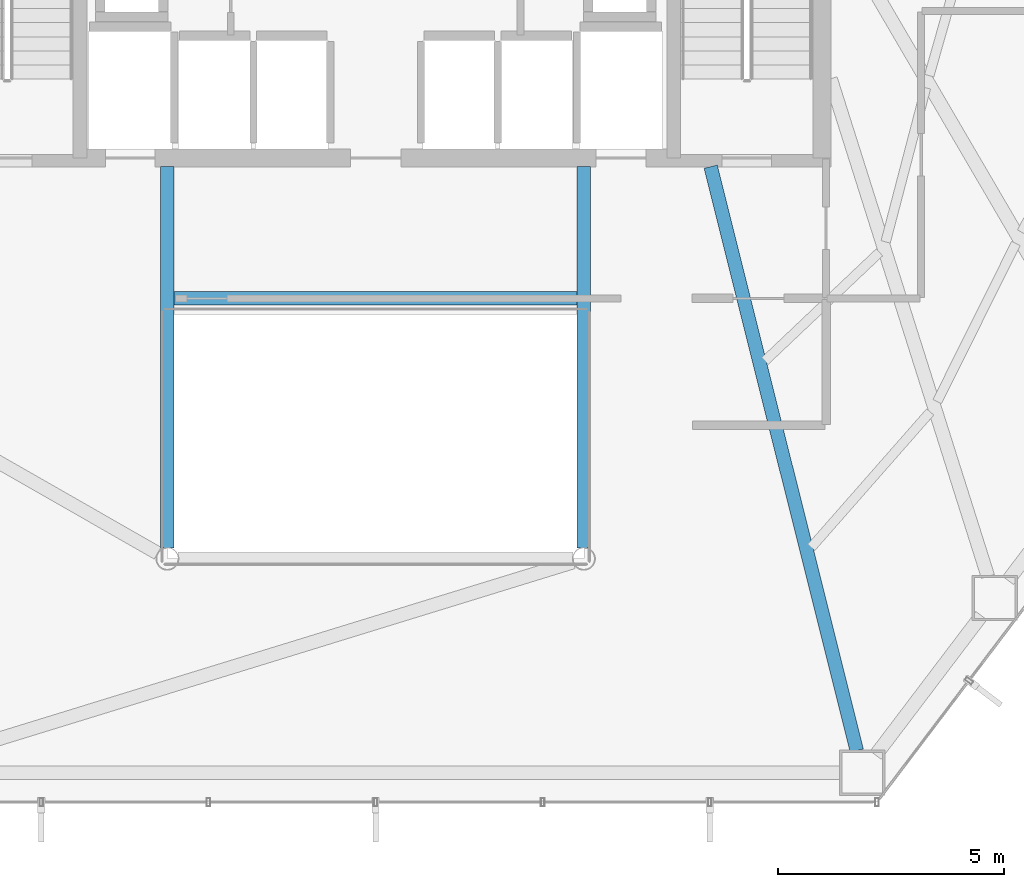
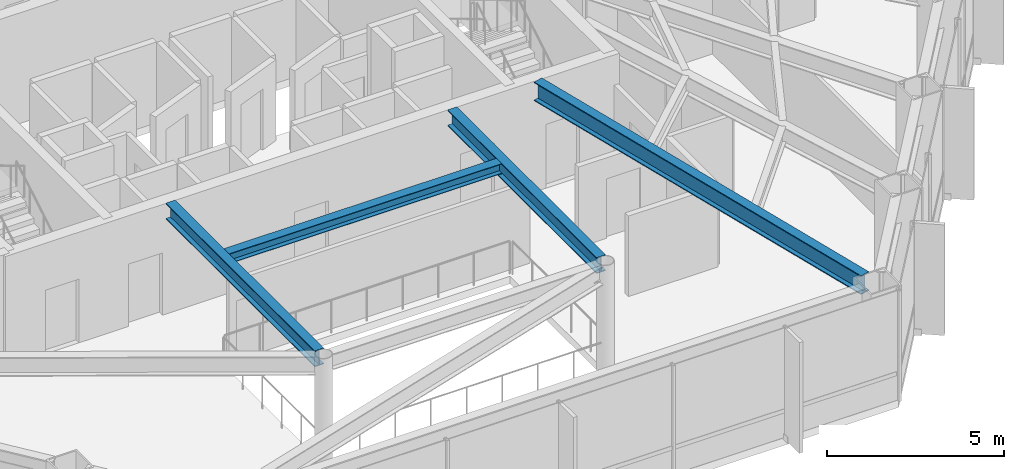
# One storey, part 9 of 25: 4 beams.
"""IFC4 building model written with IfcOpenShell, lengths in metres."""

import ifcopenshell
import ifcopenshell.guid

model = None  # the IFC model being written
_history = None  # IfcOwnerHistory: only IFC2X3 demands one
_inside = {}  # id of a spatial element -> (the spatial element, [elements in it])
_under = {}  # id of a project, library or spatial element -> (it, [spatial elements below it])
_declared = {}  # id of a project -> (the project, [libraries it declares])
_typed = {}  # id of a type object -> (the type object, [elements of that type])
_made_of = {}  # id of a material, layer set ... -> (it, [elements and type objects made of it])


def new_model(schema):
    """Start an empty IFC model of exactly this schema.

    Asked for "IFC4X3", IfcOpenShell would pick the latest addendum, in which some entities
    have other attributes; the version numbers below select the first issue.
    IFC2X3 requires an IfcOwnerHistory on every rooted entity: one is made here for all.
    """
    global model, _history
    if schema == "IFC4X3":
        model = ifcopenshell.file(schema_version=(4, 3, 0, 0))
    else:
        model = ifcopenshell.file(schema=schema)
    _inside.clear()
    _under.clear()
    _declared.clear()
    _typed.clear()
    _made_of.clear()
    _history = None
    if model.schema == "IFC2X3":
        org = make("IfcOrganization", Name="unknown")
        user = make(
            "IfcPersonAndOrganization",
            ThePerson=make("IfcPerson", FamilyName="unknown"),
            TheOrganization=org,
        )
        app = make(
            "IfcApplication",
            ApplicationDeveloper=org,
            Version="unknown",
            ApplicationFullName="unknown",
            ApplicationIdentifier="unknown",
        )
        _history = make(
            "IfcOwnerHistory",
            OwningUser=user,
            OwningApplication=app,
            ChangeAction="ADDED",
            CreationDate=0,
        )
    return model


def make(cls, **values):
    """One entity of the class cls with the attributes given. An attribute that is None is left unset."""
    return model.create_entity(
        cls, **{name: value for name, value in values.items() if value is not None}
    )


def rooted(cls, **values):
    """An entity with a GlobalId (a new one), such as an element, a storey or a relation."""
    return make(cls, GlobalId=ifcopenshell.guid.new(), OwnerHistory=_history, **values)


def si_unit(unit_type, name, prefix=None):
    """IfcSIUnit, for example si_unit("LENGTHUNIT", "METRE", prefix="MILLI")."""
    return make("IfcSIUnit", UnitType=unit_type, Prefix=prefix, Name=name)


def assignment(units):
    """IfcUnitAssignment: the units of a project."""
    return None if units is None else make("IfcUnitAssignment", Units=units)


def point(xyz):
    """IfcCartesianPoint."""
    return None if xyz is None else make("IfcCartesianPoint", Coordinates=xyz)


def direction(xyz):
    """IfcDirection."""
    return None if xyz is None else make("IfcDirection", DirectionRatios=xyz)


def frame(location, z_axis=None, x_axis=None):
    """IfcAxis2Placement3D, a coordinate frame: its origin and axes. An axis left out is left unset."""
    return make(
        "IfcAxis2Placement3D",
        Location=point(location),
        Axis=direction(z_axis),
        RefDirection=direction(x_axis),
    )


def frame_2d(location, x_axis=None):
    """IfcAxis2Placement2D, a coordinate frame in the plane: its origin and x axis."""
    return make(
        "IfcAxis2Placement2D", Location=point(location), RefDirection=direction(x_axis)
    )


def origin():
    """The frame at (0, 0, 0) with its axes left unset."""
    return frame((0.0, 0.0, 0.0))


def origin_2d():
    """The frame at (0, 0) in the plane with its x axis left unset."""
    return frame_2d((0.0, 0.0))


def place(relative_to, where):
    """IfcLocalPlacement: puts the frame where relative to a parent placement (None: the world)."""
    return make(
        "IfcLocalPlacement", PlacementRelTo=relative_to, RelativePlacement=where
    )


def context(
    kind, dimensions, precision=None, world=None, true_north=None, identifier=None
):
    """IfcGeometricRepresentationContext, for example the 3D "Model" context."""
    return make(
        "IfcGeometricRepresentationContext",
        ContextIdentifier=identifier,
        ContextType=kind,
        CoordinateSpaceDimension=dimensions,
        Precision=precision,
        WorldCoordinateSystem=world,
        TrueNorth=true_north,
    )


def subcontext(parent, identifier, kind, view, scale=None):
    """IfcGeometricRepresentationSubContext, for example "Body" below "Model"."""
    return make(
        "IfcGeometricRepresentationSubContext",
        ContextIdentifier=identifier,
        ContextType=kind,
        ParentContext=parent,
        TargetScale=scale,
        TargetView=view,
    )


def project(units=None, contexts=None):
    """IfcProject with its units and contexts."""
    return rooted(
        "IfcProject",
        Name="project",
        RepresentationContexts=contexts,
        UnitsInContext=assignment(units),
    )


def spatial(cls, under=None, at=None, **own):
    """A site, building, storey or space (cls), placed at a placement, below another one or the project."""
    s = rooted(cls, ObjectPlacement=at, **own)
    if under is not None:
        _under.setdefault(under.id(), (under, []))[1].append(s)
    return s


def profile(cls, at=None, kind="AREA", **sizes):
    """A parametric profile (cls). Its sizes go by their IFC names, for example OverallWidth=200.0."""
    return make(cls, ProfileType=kind, Position=at, **sizes)


def i_section(**sizes):
    """IfcIShapeProfileDef."""
    return profile("IfcIShapeProfileDef", **sizes)


def extrude(swept, where, along, depth):
    """IfcExtrudedAreaSolid: the profile swept, set in the frame where, extruded along a direction by depth."""
    return make(
        "IfcExtrudedAreaSolid",
        SweptArea=swept,
        Position=where,
        ExtrudedDirection=direction(along),
        Depth=depth,
    )


def shape(context_of_items, identifier, shape_type, items):
    """IfcShapeRepresentation: the items that make up one representation, for example the "Body"."""
    return make(
        "IfcShapeRepresentation",
        ContextOfItems=context_of_items,
        RepresentationIdentifier=identifier,
        RepresentationType=shape_type,
        Items=items,
    )


def material(Name=None, Category=None):
    """IfcMaterial."""
    return make("IfcMaterial", Name=Name, Category=Category)


def material_profile(
    of_material, cross_section, Name=None, Category=None, Priority=None
):
    """IfcMaterialProfile: a cross section and its material."""
    return make(
        "IfcMaterialProfile",
        Name=Name,
        Material=of_material,
        Profile=cross_section,
        Priority=Priority,
        Category=Category,
    )


def profile_set(profiles, Name=None, composite=None):
    """IfcMaterialProfileSet."""
    return make(
        "IfcMaterialProfileSet",
        Name=Name,
        MaterialProfiles=profiles,
        CompositeProfile=composite,
    )


def made_of(thing, what):
    """Note that an element or type object is made of a material, layer set ...; save() writes the relation."""
    if what is not None:
        _made_of.setdefault(what.id(), (what, []))[1].append(thing)
    return thing


def type_object(cls, material=None, **own):
    """A type object (cls), such as IfcWallType, which elements share."""
    return made_of(rooted(cls, **own), material)


def element(
    cls,
    number,
    at=None,
    inside=None,
    cuts=None,
    type_object=None,
    material=None,
    context=None,
    identifier="Body",
    shape_type=None,
    held_by="IfcProductDefinitionShape",
    body=None,
    shapes=None,
    **own,
):
    """One element of the class cls, such as IfcWall. Its Tag is "e" and its number.

    at: its placement. inside: the storey or other place that contains it. cuts: it is an
    opening in that element (IfcRelVoidsElement). A single representation is given by context,
    identifier, shape_type and body (its items); several are given by shapes. held_by: the class
    of the entity that holds the representations. save() writes the other relations.
    """
    e = rooted(cls, Tag="e%d" % number, ObjectPlacement=at, **own)
    if body is not None:
        shapes = [shape(context, identifier, shape_type, body)]
    if shapes is not None:
        e.Representation = make(held_by, Representations=shapes)
    if inside is not None:
        _inside.setdefault(inside.id(), (inside, []))[1].append(e)
    if cuts is not None:
        rooted(
            "IfcRelVoidsElement", RelatingBuildingElement=cuts, RelatedOpeningElement=e
        )
    if type_object is not None:
        _typed.setdefault(type_object.id(), (type_object, []))[1].append(e)
    return made_of(e, material)


def aggregate(whole, parts):
    """IfcRelAggregates: a whole, such as a stair, and the parts it consists of."""
    return rooted("IfcRelAggregates", RelatingObject=whole, RelatedObjects=parts)


def save(model, path):
    """Write the relations noted so far, then the file.

    IfcRelAggregates (storeys below a building ...), IfcRelContainedInSpatialStructure (elements
    in a storey), IfcRelDefinesByType, IfcRelAssociatesMaterial and IfcRelDeclares: one each for
    every whole, place, type object, material and project.
    """
    for whole, parts in _under.values():
        aggregate(whole, parts)
    for where, things in _inside.values():
        rooted(
            "IfcRelContainedInSpatialStructure",
            RelatedElements=things,
            RelatingStructure=where,
        )
    for kind, things in _typed.values():
        rooted("IfcRelDefinesByType", RelatedObjects=things, RelatingType=kind)
    for what, things in _made_of.values():
        rooted("IfcRelAssociatesMaterial", RelatedObjects=things, RelatingMaterial=what)
    for by, libraries in _declared.values():
        rooted("IfcRelDeclares", RelatingContext=by, RelatedDefinitions=libraries)
    model.write(path)


model = new_model("IFC4")

# Units and contexts
model_context = context("Model", 3, precision=1e-05, world=origin(), true_north=direction((0.0, 1.0)))
body_context = subcontext(model_context, "Body", "Model", "MODEL_VIEW")
ifc_project = project(units=[si_unit("LENGTHUNIT", "METRE"), si_unit("AREAUNIT", "SQUARE_METRE"), si_unit("VOLUMEUNIT", "CUBIC_METRE"), si_unit("PLANEANGLEUNIT", "RADIAN"), si_unit("MASSUNIT", "GRAM", prefix="KILO")], contexts=[model_context])

# Site, building, storey
site_placement = place(None, origin())
site = spatial("IfcSite", under=ifc_project, at=site_placement, CompositionType="ELEMENT")
building_placement = place(site_placement, origin())
building = spatial("IfcBuilding", under=site, at=building_placement, Name="Zarrinselat Tower", CompositionType="ELEMENT")
storey_placement = place(building_placement, frame((0.0, 0.0, 43.860107421875)))
storey = spatial("IfcBuildingStorey", under=building, at=storey_placement, Name="L10", CompositionType="ELEMENT", Elevation=43.860107421875)

# Beams
ifc_material_1 = material(Name="Steel S355J2", Category="steel")
ifc_material_profile_1 = material_profile(ifc_material_1, i_section(OverallWidth=0.300048828125, OverallDepth=0.35009765625, WebThickness=0.010009765625, FlangeThickness=0.017578125, at=origin_2d()), Name="HEA 360")
ifc_profile_set_1 = profile_set([ifc_material_profile_1], Name="Steel S355J2")
beam_type_1 = type_object("IfcBeamType", Name="BM-HEA360", PredefinedType="LINTEL", material=ifc_profile_set_1)
beam_1_placement = place(storey_placement, frame((33.93994140625, 30.14990234375, 3.644775390625), z_axis=(1.0, 0.0, 0.0), x_axis=(0.0, 1.0, 0.0)))
element("IfcBeam", 1, at=beam_1_placement, inside=storey, type_object=beam_type_1, Name="L10 Lift Lobby Ceiling Beam", PredefinedType="LINTEL", context=body_context, shape_type="SweptSolid", body=[
    extrude(i_section(OverallWidth=0.300048828125, OverallDepth=0.35009765625, WebThickness=0.010009765625, FlangeThickness=0.017578125, at=origin_2d()), origin(), (0.0, 0.0, 1.0), 8.920166015625),
])
ifc_material_2 = material(Name="Steel S355J2", Category="steel")
ifc_material_profile_2 = material_profile(ifc_material_2, i_section(OverallWidth=0.300048828125, OverallDepth=0.550048828125, WebThickness=0.014892578125, FlangeThickness=0.029052734375, at=origin_2d()), Name="HEB 550")
ifc_profile_set_2 = profile_set([ifc_material_profile_2], Name="Steel S355J2")
beam_type_2 = type_object("IfcBeamType", Name="BM-HEB550", PredefinedType="BEAM", material=ifc_profile_set_2)
for number, where, z_axis, x_axis, name in (
    (2, (33.800048828125, 24.639892578125, 3.544921875), (0.0, 1.0, 0.0), (-1.0, 0.0, 0.0), "L10 Atrium Edge Beam W"),
    (3, (43.0, 24.639892578125, 3.544921875), (0.0, 1.0, 0.0), (-1.0, 0.0, 0.0), "L10 Atrium Edge Beam E"),
):
    element("IfcBeam", number, at=place(storey_placement, frame(where, z_axis=z_axis, x_axis=x_axis)), inside=storey, type_object=beam_type_2, Name=name, PredefinedType="BEAM", context=body_context, shape_type="SweptSolid", body=[
        extrude(i_section(OverallWidth=0.300048828125, OverallDepth=0.550048828125, WebThickness=0.014892578125, FlangeThickness=0.029052734375, at=origin_2d()), origin(), (0.0, 0.0, 1.0), 8.420166015625),
    ])
ifc_material_3 = material(Name="Steel S355J2", Category="steel")
ifc_material_profile_3 = material_profile(ifc_material_3, i_section(OverallWidth=0.300048828125, OverallDepth=0.64990234375, WebThickness=0.01611328125, FlangeThickness=0.031005859375, at=origin_2d()), Name="HEB 650")
ifc_profile_set_3 = profile_set([ifc_material_profile_3], Name="Steel S355J2")
beam_type_3 = type_object("IfcBeamType", Name="BM-HEB650", PredefinedType="BEAM", material=ifc_profile_set_3)
beam_2_placement = place(storey_placement, frame((45.800048828125, 33.06005859375, 3.494873046875), z_axis=(0.242868228579, -0.970059288676, 0.0), x_axis=(0.970059288676, 0.242868228579, 0.0)))
element("IfcBeam", 4, at=beam_2_placement, inside=storey, type_object=beam_type_3, Name="L10 Radial Primary Girder RG11", PredefinedType="BEAM", context=body_context, shape_type="SweptSolid", body=[
    extrude(i_section(OverallWidth=0.300048828125, OverallDepth=0.64990234375, WebThickness=0.01611328125, FlangeThickness=0.031005859375, at=origin_2d()), origin(), (0.0, 0.0, 1.0), 13.29833984375),
])

save(model, "model.ifc")
